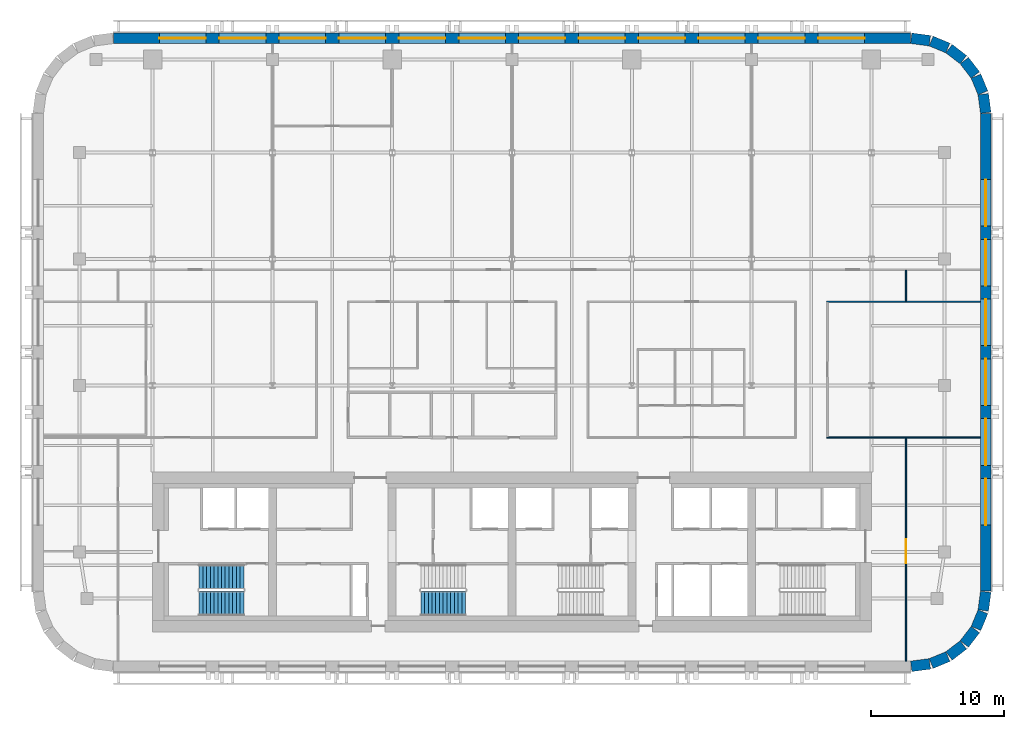
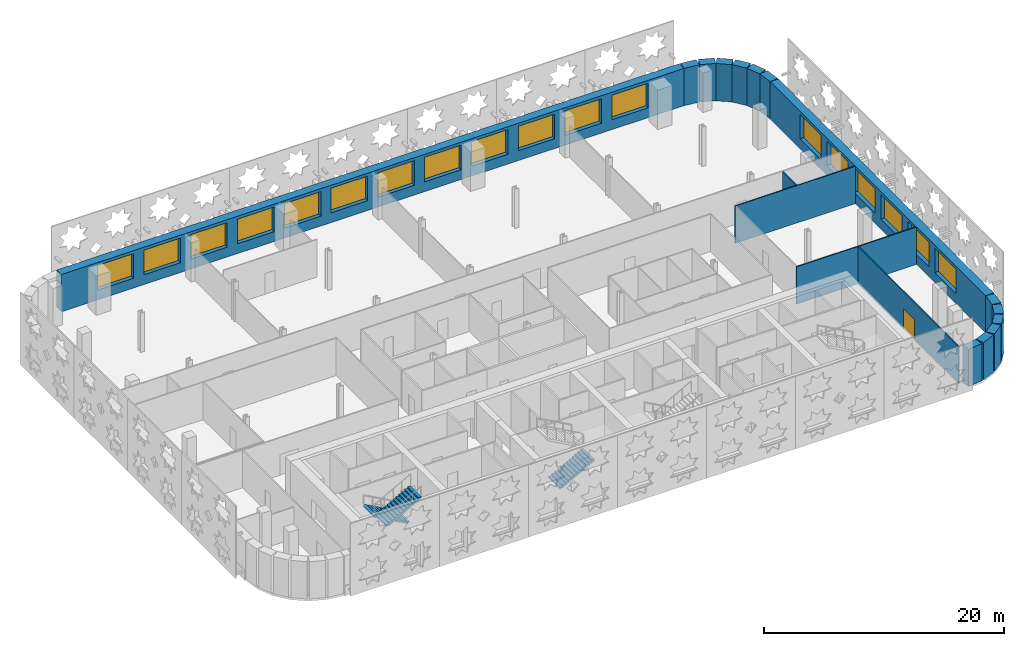
# One storey, part 7 of 12: 18 walls, 18 windows, 3 stair flights, 1 door, 19 openings, 2 elements without a shape of their own.
"""IFC4 building model written with IfcOpenShell, lengths in metres."""

from ifc_helpers import new_model, si_unit, direction, frame, frame_2d, origin, place, context, subcontext, project, spatial, polyline, rectangle, outline, extrude, material, layer, layer_set, type_object, element, fill, aggregate, save


model = new_model("IFC4")

# Units and contexts
model_context = context("Model", 3, precision=1e-05, world=origin(), true_north=direction((0.0, 1.0)))
body_context = subcontext(model_context, "Body", "Model", "MODEL_VIEW")
ifc_project = project(units=[si_unit("LENGTHUNIT", "METRE"), si_unit("AREAUNIT", "SQUARE_METRE"), si_unit("VOLUMEUNIT", "CUBIC_METRE"), si_unit("PLANEANGLEUNIT", "RADIAN"), si_unit("MASSUNIT", "GRAM", prefix="KILO")], contexts=[model_context])

# Site, building, storey
site_placement = place(None, origin())
site = spatial("IfcSite", under=ifc_project, at=site_placement, CompositionType="ELEMENT")
building_placement = place(site_placement, origin())
building = spatial("IfcBuilding", under=site, at=building_placement, Name="Zellij Exchange Tower", CompositionType="ELEMENT")
storey_placement = place(building_placement, frame((0.0, 0.0, 204.5)))
storey = spatial("IfcBuildingStorey", under=building, at=storey_placement, Name="L47", CompositionType="ELEMENT", Elevation=204.5)

# Walls
ifc_material_1 = material(Name="Precast concrete C40/50", Category="concrete")
ifc_layer_1 = layer(ifc_material_1, 0.800048828125)
ifc_layer_set_1 = layer_set([ifc_layer_1], Name="Precast concrete C40/50")
wall_type_1 = type_object("IfcWallType", Name="ENV-EW1 Precast stone-piered wall 800", PredefinedType="SOLIDWALL", material=ifc_layer_set_1)
wall_1_placement = place(storey_placement, frame((29.999755859375, -16.5966796875, 0.0), z_axis=(0.0, 0.0, 1.0), x_axis=(0.99144603414, 0.130517283865, 0.0)))
element("IfcWall", 1, at=wall_1_placement, inside=storey, type_object=wall_type_1, Name="fac.L47.01", PredefinedType="SOLIDWALL", context=body_context, shape_type="SweptSolid", body=[
    extrude(rectangle(XDim=1.408447265625, YDim=0.800048828125, at=frame_2d((0.7041015625, 0.0))), origin(), (0.0, 0.0, 1.0), 3.800048828125),
])
wall_2_placement = place(storey_placement, frame((31.497314453125, -16.3857421875, 0.0), z_axis=(0.0, 0.0, 1.0), x_axis=(0.923847774587, 0.38276009378, 0.0)))
element("IfcWall", 2, at=wall_2_placement, inside=storey, type_object=wall_type_1, Name="fac.L47.02", PredefinedType="SOLIDWALL", context=body_context, shape_type="SweptSolid", body=[
    extrude(rectangle(XDim=1.35546875, YDim=0.800048828125, at=frame_2d((0.677734375, 0.0))), origin(), (0.0, 0.0, 1.0), 3.800048828125),
])
for number, where, z_axis, x_axis, name in (
    (3, (32.840087890625, -15.814697265625, 0.0), (0.0, 0.0, 1.0), (0.793272915452, 0.608866226366, 0.0), "fac.L47.03"),
    (4, (33.9892578125, -14.91552734375, 0.0), (0.0, 0.0, 1.0), (0.608866226366, 0.793272915452, 0.0), "fac.L47.04"),
):
    element("IfcWall", number, at=place(storey_placement, frame(where, z_axis=z_axis, x_axis=x_axis)), inside=storey, type_object=wall_type_1, Name=name, PredefinedType="SOLIDWALL", context=body_context, shape_type="SweptSolid", body=[
        extrude(rectangle(XDim=1.355712890625, YDim=0.800048828125, at=frame_2d((0.677734375, 0.0))), origin(), (0.0, 0.0, 1.0), 3.800048828125),
    ])
wall_3_placement = place(storey_placement, frame((34.866943359375, -13.74951171875, 0.0), z_axis=(0.0, 0.0, 1.0), x_axis=(0.38276009378, 0.923847774587, 0.0)))
element("IfcWall", 5, at=wall_3_placement, inside=storey, type_object=wall_type_1, Name="fac.L47.05", PredefinedType="SOLIDWALL", context=body_context, shape_type="SweptSolid", body=[
    extrude(rectangle(XDim=1.35546875, YDim=0.800048828125, at=frame_2d((0.677734375, 0.0))), origin(), (0.0, 0.0, 1.0), 3.800048828125),
])
wall_4_placement = place(storey_placement, frame((35.412841796875, -12.396240234375, 0.0), z_axis=(0.0, 0.0, 1.0), x_axis=(0.130517283865, 0.99144603414, 0.0)))
element("IfcWall", 6, at=wall_4_placement, inside=storey, type_object=wall_type_1, Name="fac.L47.06", PredefinedType="SOLIDWALL", context=body_context, shape_type="SweptSolid", body=[
    extrude(rectangle(XDim=1.408447265625, YDim=0.800048828125, at=frame_2d((0.7041015625, 0.0))), origin(), (0.0, 0.0, 1.0), 3.800048828125),
])

# Wall, openings, windows
wall_5_placement = place(storey_placement, frame((35.60009765625, -10.947509765625, 0.0), z_axis=(0.0, 0.0, 1.0), x_axis=(0.0, 1.0, 0.0)))
wall_5 = element("IfcWall", 7, at=wall_5_placement, inside=storey, type_object=wall_type_1, Name="fac.L47.07", PredefinedType="SOLIDWALL", context=body_context, shape_type="SweptSolid", body=[
    extrude(rectangle(XDim=35.89501953125, YDim=0.800048828125, at=frame_2d((17.947509765625, 0.0))), origin(), (0.0, 0.0, 1.0), 3.800048828125),
])
opening_1_placement = place(wall_5_placement, frame((4.9638671875, 0.0, 1.0)))
opening_1 = element("IfcOpeningElement", 8, at=opening_1_placement, cuts=wall_5, Name="Opening FZ3.13", PredefinedType="OPENING", context=body_context, shape_type="SweptSolid", body=[
    extrude(rectangle(XDim=3.5, YDim=2.5, at=frame_2d((1.75, 1.25))), frame((0.0, 0.412109375, 0.0), z_axis=(0.0, -1.0, 0.0), x_axis=(1.0, 0.0, 0.0)), (0.0, 0.0, 1.0), 0.823974609375),
])
opening_2_placement = place(wall_5_placement, frame((9.45751953125, 0.0, 1.0)))
opening_2 = element("IfcOpeningElement", 9, at=opening_2_placement, cuts=wall_5, Name="Opening FZ3.14", PredefinedType="OPENING", context=body_context, shape_type="SweptSolid", body=[
    extrude(rectangle(XDim=3.5, YDim=2.5, at=frame_2d((1.75, 1.25))), frame((0.0, 0.412109375, 0.0), z_axis=(0.0, -1.0, 0.0), x_axis=(1.0, 0.0, 0.0)), (0.0, 0.0, 1.0), 0.823974609375),
])
opening_3_placement = place(wall_5_placement, frame((13.950927734375, 0.0, 1.0)))
opening_3 = element("IfcOpeningElement", 10, at=opening_3_placement, cuts=wall_5, Name="Opening FZ3.15", PredefinedType="OPENING", context=body_context, shape_type="SweptSolid", body=[
    extrude(rectangle(XDim=3.5, YDim=2.5, at=frame_2d((1.75, 1.25))), frame((0.0, 0.412109375, 0.0), z_axis=(0.0, -1.0, 0.0), x_axis=(1.0, 0.0, 0.0)), (0.0, 0.0, 1.0), 0.823974609375),
])
opening_4_placement = place(wall_5_placement, frame((18.4443359375, 0.0, 1.0)))
opening_4 = element("IfcOpeningElement", 11, at=opening_4_placement, cuts=wall_5, Name="Opening FZ3.16", PredefinedType="OPENING", context=body_context, shape_type="SweptSolid", body=[
    extrude(rectangle(XDim=3.5, YDim=2.5, at=frame_2d((1.75, 1.25))), frame((0.0, 0.412109375, 0.0), z_axis=(0.0, -1.0, 0.0), x_axis=(1.0, 0.0, 0.0)), (0.0, 0.0, 1.0), 0.823974609375),
])
opening_5_placement = place(wall_5_placement, frame((22.937744140625, 0.0, 1.0)))
opening_5 = element("IfcOpeningElement", 12, at=opening_5_placement, cuts=wall_5, Name="Opening FZ3.17", PredefinedType="OPENING", context=body_context, shape_type="SweptSolid", body=[
    extrude(rectangle(XDim=3.5, YDim=2.5, at=frame_2d((1.75, 1.25))), frame((0.0, 0.412109375, 0.0), z_axis=(0.0, -1.0, 0.0), x_axis=(1.0, 0.0, 0.0)), (0.0, 0.0, 1.0), 0.823974609375),
])
opening_6_placement = place(wall_5_placement, frame((27.43115234375, 0.0, 1.0)))
opening_6 = element("IfcOpeningElement", 13, at=opening_6_placement, cuts=wall_5, Name="Opening FZ3.18", PredefinedType="OPENING", context=body_context, shape_type="SweptSolid", body=[
    extrude(rectangle(XDim=3.5, YDim=2.5, at=frame_2d((1.75, 1.25))), frame((0.0, 0.412109375, 0.0), z_axis=(0.0, -1.0, 0.0), x_axis=(1.0, 0.0, 0.0)), (0.0, 0.0, 1.0), 0.823974609375),
])
ifc_material_2 = material(Name="Aluminium frame with insulating glass", Category="aluminium")
window_type = type_object("IfcWindowType", Name="ENV-W1 Window 3500x2500", PartitioningType="SINGLE_PANEL", PredefinedType="WINDOW", material=ifc_material_2)
window_1_placement = place(opening_1_placement, origin())
window_1 = element("IfcWindow", 14, at=window_1_placement, inside=storey, type_object=window_type, Name="Window FZ3.13", OverallHeight=2.5, OverallWidth=3.5, PartitioningType="SINGLE_PANEL", PredefinedType="WINDOW", context=body_context, shape_type="SweptSolid", body=[
    extrude(rectangle(XDim=3.5, YDim=2.5, at=frame_2d((1.75, 1.25))), frame((0.0, 0.030029296875, 0.0), z_axis=(0.0, -1.0, 0.0), x_axis=(1.0, 0.0, 0.0)), (0.0, 0.0, 1.0), 0.06005859375),
])
fill(opening_1, window_1)
window_2_placement = place(opening_2_placement, origin())
window_2 = element("IfcWindow", 15, at=window_2_placement, inside=storey, type_object=window_type, Name="Window FZ3.14", OverallHeight=2.5, OverallWidth=3.5, PartitioningType="SINGLE_PANEL", PredefinedType="WINDOW", context=body_context, shape_type="SweptSolid", body=[
    extrude(rectangle(XDim=3.5, YDim=2.5, at=frame_2d((1.75, 1.25))), frame((0.0, 0.030029296875, 0.0), z_axis=(0.0, -1.0, 0.0), x_axis=(1.0, 0.0, 0.0)), (0.0, 0.0, 1.0), 0.06005859375),
])
fill(opening_2, window_2)
window_3_placement = place(opening_3_placement, origin())
window_3 = element("IfcWindow", 16, at=window_3_placement, inside=storey, type_object=window_type, Name="Window FZ3.15", OverallHeight=2.5, OverallWidth=3.5, PartitioningType="SINGLE_PANEL", PredefinedType="WINDOW", context=body_context, shape_type="SweptSolid", body=[
    extrude(rectangle(XDim=3.5, YDim=2.5, at=frame_2d((1.75, 1.25))), frame((0.0, 0.030029296875, 0.0), z_axis=(0.0, -1.0, 0.0), x_axis=(1.0, 0.0, 0.0)), (0.0, 0.0, 1.0), 0.06005859375),
])
fill(opening_3, window_3)
window_4_placement = place(opening_4_placement, origin())
window_4 = element("IfcWindow", 17, at=window_4_placement, inside=storey, type_object=window_type, Name="Window FZ3.16", OverallHeight=2.5, OverallWidth=3.5, PartitioningType="SINGLE_PANEL", PredefinedType="WINDOW", context=body_context, shape_type="SweptSolid", body=[
    extrude(rectangle(XDim=3.5, YDim=2.5, at=frame_2d((1.75, 1.25))), frame((0.0, 0.030029296875, 0.0), z_axis=(0.0, -1.0, 0.0), x_axis=(1.0, 0.0, 0.0)), (0.0, 0.0, 1.0), 0.06005859375),
])
fill(opening_4, window_4)
window_5_placement = place(opening_5_placement, origin())
window_5 = element("IfcWindow", 18, at=window_5_placement, inside=storey, type_object=window_type, Name="Window FZ3.17", OverallHeight=2.5, OverallWidth=3.5, PartitioningType="SINGLE_PANEL", PredefinedType="WINDOW", context=body_context, shape_type="SweptSolid", body=[
    extrude(rectangle(XDim=3.5, YDim=2.5, at=frame_2d((1.75, 1.25))), frame((0.0, 0.030029296875, 0.0), z_axis=(0.0, -1.0, 0.0), x_axis=(1.0, 0.0, 0.0)), (0.0, 0.0, 1.0), 0.06005859375),
])
fill(opening_5, window_5)
window_6_placement = place(opening_6_placement, origin())
window_6 = element("IfcWindow", 19, at=window_6_placement, inside=storey, type_object=window_type, Name="Window FZ3.18", OverallHeight=2.5, OverallWidth=3.5, PartitioningType="SINGLE_PANEL", PredefinedType="WINDOW", context=body_context, shape_type="SweptSolid", body=[
    extrude(rectangle(XDim=3.5, YDim=2.5, at=frame_2d((1.75, 1.25))), frame((0.0, 0.030029296875, 0.0), z_axis=(0.0, -1.0, 0.0), x_axis=(1.0, 0.0, 0.0)), (0.0, 0.0, 1.0), 0.06005859375),
])
fill(opening_6, window_6)

# Walls
wall_6_placement = place(storey_placement, frame((35.5966796875, 24.999755859375, 0.0), z_axis=(0.0, 0.0, 1.0), x_axis=(-0.130517283865, 0.99144603414, 0.0)))
element("IfcWall", 20, at=wall_6_placement, inside=storey, type_object=wall_type_1, Name="fac.L47.08", PredefinedType="SOLIDWALL", context=body_context, shape_type="SweptSolid", body=[
    extrude(rectangle(XDim=1.408447265625, YDim=0.800048828125, at=frame_2d((0.7041015625, 0.0))), origin(), (0.0, 0.0, 1.0), 3.800048828125),
])
wall_7_placement = place(storey_placement, frame((35.3857421875, 26.497314453125, 0.0), z_axis=(0.0, 0.0, 1.0), x_axis=(-0.38276009378, 0.923847774587, 0.0)))
element("IfcWall", 21, at=wall_7_placement, inside=storey, type_object=wall_type_1, Name="fac.L47.09", PredefinedType="SOLIDWALL", context=body_context, shape_type="SweptSolid", body=[
    extrude(rectangle(XDim=1.35546875, YDim=0.800048828125, at=frame_2d((0.677734375, 0.0))), origin(), (0.0, 0.0, 1.0), 3.800048828125),
])
for number, where, z_axis, x_axis, name in (
    (22, (34.814697265625, 27.840087890625, 0.0), (0.0, 0.0, 1.0), (-0.608866226366, 0.793272915452, 0.0), "fac.L47.10"),
    (23, (33.91552734375, 28.9892578125, 0.0), (0.0, 0.0, 1.0), (-0.793272915452, 0.608866226366, 0.0), "fac.L47.11"),
):
    element("IfcWall", number, at=place(storey_placement, frame(where, z_axis=z_axis, x_axis=x_axis)), inside=storey, type_object=wall_type_1, Name=name, PredefinedType="SOLIDWALL", context=body_context, shape_type="SweptSolid", body=[
        extrude(rectangle(XDim=1.355712890625, YDim=0.800048828125, at=frame_2d((0.677734375, 0.0))), origin(), (0.0, 0.0, 1.0), 3.800048828125),
    ])
wall_8_placement = place(storey_placement, frame((32.74951171875, 29.866943359375, 0.0), z_axis=(0.0, 0.0, 1.0), x_axis=(-0.923847774587, 0.38276009378, 0.0)))
element("IfcWall", 24, at=wall_8_placement, inside=storey, type_object=wall_type_1, Name="fac.L47.12", PredefinedType="SOLIDWALL", context=body_context, shape_type="SweptSolid", body=[
    extrude(rectangle(XDim=1.35546875, YDim=0.800048828125, at=frame_2d((0.677734375, 0.0))), origin(), (0.0, 0.0, 1.0), 3.800048828125),
])
wall_9_placement = place(storey_placement, frame((31.396240234375, 30.412841796875, 0.0), z_axis=(0.0, 0.0, 1.0), x_axis=(-0.99144603414, 0.130517283865, 0.0)))
element("IfcWall", 25, at=wall_9_placement, inside=storey, type_object=wall_type_1, Name="fac.L47.13", PredefinedType="SOLIDWALL", context=body_context, shape_type="SweptSolid", body=[
    extrude(rectangle(XDim=1.408447265625, YDim=0.800048828125, at=frame_2d((0.7041015625, 0.0))), origin(), (0.0, 0.0, 1.0), 3.800048828125),
])

# Wall, openings, windows
wall_10_placement = place(storey_placement, frame((29.947509765625, 30.60009765625, 0.0), z_axis=(0.0, 0.0, 1.0), x_axis=(-1.0, 0.0, 0.0)))
wall_10 = element("IfcWall", 26, at=wall_10_placement, inside=storey, type_object=wall_type_1, Name="fac.L47.14", PredefinedType="SOLIDWALL", context=body_context, shape_type="SweptSolid", body=[
    extrude(rectangle(XDim=59.89501953125, YDim=0.800048828125, at=frame_2d((29.947509765625, 0.0))), origin(), (0.0, 0.0, 1.0), 3.800048828125),
])
opening_7_placement = place(wall_10_placement, frame((3.447509765625, 0.0, 1.0)))
opening_7 = element("IfcOpeningElement", 27, at=opening_7_placement, cuts=wall_10, Name="Opening FZ3.19", PredefinedType="OPENING", context=body_context, shape_type="SweptSolid", body=[
    extrude(rectangle(XDim=3.5, YDim=2.5, at=frame_2d((1.75, 1.25))), frame((0.0, 0.412109375, 0.0), z_axis=(0.0, -1.0, 0.0), x_axis=(1.0, 0.0, 0.0)), (0.0, 0.0, 1.0), 0.823974609375),
])
opening_8_placement = place(wall_10_placement, frame((7.947509765625, 0.0, 1.0)))
opening_8 = element("IfcOpeningElement", 28, at=opening_8_placement, cuts=wall_10, Name="Opening FZ3.20", PredefinedType="OPENING", context=body_context, shape_type="SweptSolid", body=[
    extrude(rectangle(XDim=3.5, YDim=2.5, at=frame_2d((1.75, 1.25))), frame((0.0, 0.412109375, 0.0), z_axis=(0.0, -1.0, 0.0), x_axis=(1.0, 0.0, 0.0)), (0.0, 0.0, 1.0), 0.823974609375),
])
opening_9_placement = place(wall_10_placement, frame((12.447509765625, 0.0, 1.0)))
opening_9 = element("IfcOpeningElement", 29, at=opening_9_placement, cuts=wall_10, Name="Opening FZ3.21", PredefinedType="OPENING", context=body_context, shape_type="SweptSolid", body=[
    extrude(rectangle(XDim=3.5, YDim=2.5, at=frame_2d((1.75, 1.25))), frame((0.0, 0.412109375, 0.0), z_axis=(0.0, -1.0, 0.0), x_axis=(1.0, 0.0, 0.0)), (0.0, 0.0, 1.0), 0.823974609375),
])
opening_10_placement = place(wall_10_placement, frame((16.947509765625, 0.0, 1.0)))
opening_10 = element("IfcOpeningElement", 30, at=opening_10_placement, cuts=wall_10, Name="Opening FZ3.22", PredefinedType="OPENING", context=body_context, shape_type="SweptSolid", body=[
    extrude(rectangle(XDim=3.5, YDim=2.5, at=frame_2d((1.75, 1.25))), frame((0.0, 0.412109375, 0.0), z_axis=(0.0, -1.0, 0.0), x_axis=(1.0, 0.0, 0.0)), (0.0, 0.0, 1.0), 0.823974609375),
])
opening_11_placement = place(wall_10_placement, frame((21.447509765625, 0.0, 1.0)))
opening_11 = element("IfcOpeningElement", 31, at=opening_11_placement, cuts=wall_10, Name="Opening FZ3.23", PredefinedType="OPENING", context=body_context, shape_type="SweptSolid", body=[
    extrude(rectangle(XDim=3.5, YDim=2.5, at=frame_2d((1.75, 1.25))), frame((0.0, 0.412109375, 0.0), z_axis=(0.0, -1.0, 0.0), x_axis=(1.0, 0.0, 0.0)), (0.0, 0.0, 1.0), 0.823974609375),
])
opening_12_placement = place(wall_10_placement, frame((25.947509765625, 0.0, 1.0)))
opening_12 = element("IfcOpeningElement", 32, at=opening_12_placement, cuts=wall_10, Name="Opening FZ3.24", PredefinedType="OPENING", context=body_context, shape_type="SweptSolid", body=[
    extrude(rectangle(XDim=3.5, YDim=2.5, at=frame_2d((1.75, 1.25))), frame((0.0, 0.412109375, 0.0), z_axis=(0.0, -1.0, 0.0), x_axis=(1.0, 0.0, 0.0)), (0.0, 0.0, 1.0), 0.823974609375),
])
opening_13_placement = place(wall_10_placement, frame((30.447509765625, 0.0, 1.0)))
opening_13 = element("IfcOpeningElement", 33, at=opening_13_placement, cuts=wall_10, Name="Opening FZ3.25", PredefinedType="OPENING", context=body_context, shape_type="SweptSolid", body=[
    extrude(rectangle(XDim=3.5, YDim=2.5, at=frame_2d((1.75, 1.25))), frame((0.0, 0.412109375, 0.0), z_axis=(0.0, -1.0, 0.0), x_axis=(1.0, 0.0, 0.0)), (0.0, 0.0, 1.0), 0.823974609375),
])
opening_14_placement = place(wall_10_placement, frame((34.947509765625, 0.0, 1.0)))
opening_14 = element("IfcOpeningElement", 34, at=opening_14_placement, cuts=wall_10, Name="Opening FZ3.26", PredefinedType="OPENING", context=body_context, shape_type="SweptSolid", body=[
    extrude(rectangle(XDim=3.5, YDim=2.5, at=frame_2d((1.75, 1.25))), frame((0.0, 0.412109375, 0.0), z_axis=(0.0, -1.0, 0.0), x_axis=(1.0, 0.0, 0.0)), (0.0, 0.0, 1.0), 0.823974609375),
])
opening_15_placement = place(wall_10_placement, frame((39.447509765625, 0.0, 1.0)))
opening_15 = element("IfcOpeningElement", 35, at=opening_15_placement, cuts=wall_10, Name="Opening FZ3.27", PredefinedType="OPENING", context=body_context, shape_type="SweptSolid", body=[
    extrude(rectangle(XDim=3.5, YDim=2.5, at=frame_2d((1.75, 1.25))), frame((0.0, 0.412109375, 0.0), z_axis=(0.0, -1.0, 0.0), x_axis=(1.0, 0.0, 0.0)), (0.0, 0.0, 1.0), 0.823974609375),
])
opening_16_placement = place(wall_10_placement, frame((43.947509765625, 0.0, 1.0)))
opening_16 = element("IfcOpeningElement", 36, at=opening_16_placement, cuts=wall_10, Name="Opening FZ3.28", PredefinedType="OPENING", context=body_context, shape_type="SweptSolid", body=[
    extrude(rectangle(XDim=3.5, YDim=2.5, at=frame_2d((1.75, 1.25))), frame((0.0, 0.412109375, 0.0), z_axis=(0.0, -1.0, 0.0), x_axis=(1.0, 0.0, 0.0)), (0.0, 0.0, 1.0), 0.823974609375),
])
opening_17_placement = place(wall_10_placement, frame((48.447509765625, 0.0, 1.0)))
opening_17 = element("IfcOpeningElement", 37, at=opening_17_placement, cuts=wall_10, Name="Opening FZ3.29", PredefinedType="OPENING", context=body_context, shape_type="SweptSolid", body=[
    extrude(rectangle(XDim=3.5, YDim=2.5, at=frame_2d((1.75, 1.25))), frame((0.0, 0.412109375, 0.0), z_axis=(0.0, -1.0, 0.0), x_axis=(1.0, 0.0, 0.0)), (0.0, 0.0, 1.0), 0.823974609375),
])
opening_18_placement = place(wall_10_placement, frame((52.947509765625, 0.0, 1.0)))
opening_18 = element("IfcOpeningElement", 38, at=opening_18_placement, cuts=wall_10, Name="Opening FZ3.30", PredefinedType="OPENING", context=body_context, shape_type="SweptSolid", body=[
    extrude(rectangle(XDim=3.5, YDim=2.5, at=frame_2d((1.75, 1.25))), frame((0.0, 0.412109375, 0.0), z_axis=(0.0, -1.0, 0.0), x_axis=(1.0, 0.0, 0.0)), (0.0, 0.0, 1.0), 0.823974609375),
])
window_7_placement = place(opening_7_placement, origin())
window_7 = element("IfcWindow", 39, at=window_7_placement, inside=storey, type_object=window_type, Name="Window FZ3.19", OverallHeight=2.5, OverallWidth=3.5, PartitioningType="SINGLE_PANEL", PredefinedType="WINDOW", context=body_context, shape_type="SweptSolid", body=[
    extrude(rectangle(XDim=3.5, YDim=2.5, at=frame_2d((1.75, 1.25))), frame((0.0, 0.030029296875, 0.0), z_axis=(0.0, -1.0, 0.0), x_axis=(1.0, 0.0, 0.0)), (0.0, 0.0, 1.0), 0.06005859375),
])
fill(opening_7, window_7)
window_8_placement = place(opening_8_placement, origin())
window_8 = element("IfcWindow", 40, at=window_8_placement, inside=storey, type_object=window_type, Name="Window FZ3.20", OverallHeight=2.5, OverallWidth=3.5, PartitioningType="SINGLE_PANEL", PredefinedType="WINDOW", context=body_context, shape_type="SweptSolid", body=[
    extrude(rectangle(XDim=3.5, YDim=2.5, at=frame_2d((1.75, 1.25))), frame((0.0, 0.030029296875, 0.0), z_axis=(0.0, -1.0, 0.0), x_axis=(1.0, 0.0, 0.0)), (0.0, 0.0, 1.0), 0.06005859375),
])
fill(opening_8, window_8)
window_9_placement = place(opening_9_placement, origin())
window_9 = element("IfcWindow", 41, at=window_9_placement, inside=storey, type_object=window_type, Name="Window FZ3.21", OverallHeight=2.5, OverallWidth=3.5, PartitioningType="SINGLE_PANEL", PredefinedType="WINDOW", context=body_context, shape_type="SweptSolid", body=[
    extrude(rectangle(XDim=3.5, YDim=2.5, at=frame_2d((1.75, 1.25))), frame((0.0, 0.030029296875, 0.0), z_axis=(0.0, -1.0, 0.0), x_axis=(1.0, 0.0, 0.0)), (0.0, 0.0, 1.0), 0.06005859375),
])
fill(opening_9, window_9)
window_10_placement = place(opening_10_placement, origin())
window_10 = element("IfcWindow", 42, at=window_10_placement, inside=storey, type_object=window_type, Name="Window FZ3.22", OverallHeight=2.5, OverallWidth=3.5, PartitioningType="SINGLE_PANEL", PredefinedType="WINDOW", context=body_context, shape_type="SweptSolid", body=[
    extrude(rectangle(XDim=3.5, YDim=2.5, at=frame_2d((1.75, 1.25))), frame((0.0, 0.030029296875, 0.0), z_axis=(0.0, -1.0, 0.0), x_axis=(1.0, 0.0, 0.0)), (0.0, 0.0, 1.0), 0.06005859375),
])
fill(opening_10, window_10)
window_11_placement = place(opening_11_placement, origin())
window_11 = element("IfcWindow", 43, at=window_11_placement, inside=storey, type_object=window_type, Name="Window FZ3.23", OverallHeight=2.5, OverallWidth=3.5, PartitioningType="SINGLE_PANEL", PredefinedType="WINDOW", context=body_context, shape_type="SweptSolid", body=[
    extrude(rectangle(XDim=3.5, YDim=2.5, at=frame_2d((1.75, 1.25))), frame((0.0, 0.030029296875, 0.0), z_axis=(0.0, -1.0, 0.0), x_axis=(1.0, 0.0, 0.0)), (0.0, 0.0, 1.0), 0.06005859375),
])
fill(opening_11, window_11)
window_12_placement = place(opening_12_placement, origin())
window_12 = element("IfcWindow", 44, at=window_12_placement, inside=storey, type_object=window_type, Name="Window FZ3.24", OverallHeight=2.5, OverallWidth=3.5, PartitioningType="SINGLE_PANEL", PredefinedType="WINDOW", context=body_context, shape_type="SweptSolid", body=[
    extrude(rectangle(XDim=3.5, YDim=2.5, at=frame_2d((1.75, 1.25))), frame((0.0, 0.030029296875, 0.0), z_axis=(0.0, -1.0, 0.0), x_axis=(1.0, 0.0, 0.0)), (0.0, 0.0, 1.0), 0.06005859375),
])
fill(opening_12, window_12)
window_13_placement = place(opening_13_placement, origin())
window_13 = element("IfcWindow", 45, at=window_13_placement, inside=storey, type_object=window_type, Name="Window FZ3.25", OverallHeight=2.5, OverallWidth=3.5, PartitioningType="SINGLE_PANEL", PredefinedType="WINDOW", context=body_context, shape_type="SweptSolid", body=[
    extrude(rectangle(XDim=3.5, YDim=2.5, at=frame_2d((1.75, 1.25))), frame((0.0, 0.030029296875, 0.0), z_axis=(0.0, -1.0, 0.0), x_axis=(1.0, 0.0, 0.0)), (0.0, 0.0, 1.0), 0.06005859375),
])
fill(opening_13, window_13)
window_14_placement = place(opening_14_placement, origin())
window_14 = element("IfcWindow", 46, at=window_14_placement, inside=storey, type_object=window_type, Name="Window FZ3.26", OverallHeight=2.5, OverallWidth=3.5, PartitioningType="SINGLE_PANEL", PredefinedType="WINDOW", context=body_context, shape_type="SweptSolid", body=[
    extrude(rectangle(XDim=3.5, YDim=2.5, at=frame_2d((1.75, 1.25))), frame((0.0, 0.030029296875, 0.0), z_axis=(0.0, -1.0, 0.0), x_axis=(1.0, 0.0, 0.0)), (0.0, 0.0, 1.0), 0.06005859375),
])
fill(opening_14, window_14)
window_15_placement = place(opening_15_placement, origin())
window_15 = element("IfcWindow", 47, at=window_15_placement, inside=storey, type_object=window_type, Name="Window FZ3.27", OverallHeight=2.5, OverallWidth=3.5, PartitioningType="SINGLE_PANEL", PredefinedType="WINDOW", context=body_context, shape_type="SweptSolid", body=[
    extrude(rectangle(XDim=3.5, YDim=2.5, at=frame_2d((1.75, 1.25))), frame((0.0, 0.030029296875, 0.0), z_axis=(0.0, -1.0, 0.0), x_axis=(1.0, 0.0, 0.0)), (0.0, 0.0, 1.0), 0.06005859375),
])
fill(opening_15, window_15)
window_16_placement = place(opening_16_placement, origin())
window_16 = element("IfcWindow", 48, at=window_16_placement, inside=storey, type_object=window_type, Name="Window FZ3.28", OverallHeight=2.5, OverallWidth=3.5, PartitioningType="SINGLE_PANEL", PredefinedType="WINDOW", context=body_context, shape_type="SweptSolid", body=[
    extrude(rectangle(XDim=3.5, YDim=2.5, at=frame_2d((1.75, 1.25))), frame((0.0, 0.030029296875, 0.0), z_axis=(0.0, -1.0, 0.0), x_axis=(1.0, 0.0, 0.0)), (0.0, 0.0, 1.0), 0.06005859375),
])
fill(opening_16, window_16)
window_17_placement = place(opening_17_placement, origin())
window_17 = element("IfcWindow", 49, at=window_17_placement, inside=storey, type_object=window_type, Name="Window FZ3.29", OverallHeight=2.5, OverallWidth=3.5, PartitioningType="SINGLE_PANEL", PredefinedType="WINDOW", context=body_context, shape_type="SweptSolid", body=[
    extrude(rectangle(XDim=3.5, YDim=2.5, at=frame_2d((1.75, 1.25))), frame((0.0, 0.030029296875, 0.0), z_axis=(0.0, -1.0, 0.0), x_axis=(1.0, 0.0, 0.0)), (0.0, 0.0, 1.0), 0.06005859375),
])
fill(opening_17, window_17)
window_18_placement = place(opening_18_placement, origin())
window_18 = element("IfcWindow", 50, at=window_18_placement, inside=storey, type_object=window_type, Name="Window FZ3.30", OverallHeight=2.5, OverallWidth=3.5, PartitioningType="SINGLE_PANEL", PredefinedType="WINDOW", context=body_context, shape_type="SweptSolid", body=[
    extrude(rectangle(XDim=3.5, YDim=2.5, at=frame_2d((1.75, 1.25))), frame((0.0, 0.030029296875, 0.0), z_axis=(0.0, -1.0, 0.0), x_axis=(1.0, 0.0, 0.0)), (0.0, 0.0, 1.0), 0.06005859375),
])
fill(opening_18, window_18)

# Wall, opening, door
ifc_material_3 = material(Name="Gypsum board partition on steel studs", Category="steel")
ifc_layer_2 = layer(ifc_material_3, 0.10009765625)
ifc_layer_set_2 = layer_set([ifc_layer_2], Name="Gypsum board partition on steel studs")
wall_type_2 = type_object("IfcWallType", Name="FIT-PARTITION-100", PredefinedType="PARTITIONING", material=ifc_layer_set_2)
wall_11_placement = place(storey_placement, frame((29.60009765625, -16.199951171875, 0.0), z_axis=(0.0, 0.0, 1.0), x_axis=(0.0, 1.0, 0.0)))
wall_11 = element("IfcWall", 51, at=wall_11_placement, inside=storey, type_object=wall_type_2, Name="FIT-PARTITION-100 002", PredefinedType="PARTITIONING", context=body_context, shape_type="SweptSolid", body=[
    extrude(rectangle(XDim=16.75, YDim=0.10009765625, at=frame_2d((8.375, 0.0))), origin(), (0.0, 0.0, 1.0), 3.800048828125),
])
opening_19_placement = place(wall_11_placement, frame((7.35009765625, 0.0, 0.0)))
opening_19 = element("IfcOpeningElement", 52, at=opening_19_placement, cuts=wall_11, Name="Opening O3E.02", PredefinedType="OPENING", context=body_context, shape_type="SweptSolid", body=[
    extrude(rectangle(XDim=1.800048828125, YDim=2.10009765625, at=frame_2d((0.89990234375, 1.050048828125))), frame((0.0, 0.06201171875, 0.0), z_axis=(0.0, -1.0, 0.0), x_axis=(1.0, 0.0, 0.0)), (0.0, 0.0, 1.0), 0.1240234375),
])
ifc_material_4 = material(Name="Timber door set", Category="wood")
door_type = type_object("IfcDoorType", Name="FIT-D3-DOUBLE-1800X2100", OperationType="DOUBLE_DOOR_SINGLE_SWING", PredefinedType="DOOR", material=ifc_material_4)
door_placement = place(opening_19_placement, origin())
door = element("IfcDoor", 53, at=door_placement, inside=storey, type_object=door_type, Name="Door O3E.02", OperationType="DOUBLE_DOOR_SINGLE_SWING", OverallHeight=2.10009765625, OverallWidth=1.800048828125, PredefinedType="DOOR", context=body_context, shape_type="SweptSolid", body=[
    extrude(rectangle(XDim=1.800048828125, YDim=2.10009765625, at=frame_2d((0.89990234375, 1.050048828125))), frame((0.0, 0.02490234375, 0.0), z_axis=(0.0, -1.0, 0.0), x_axis=(1.0, 0.0, 0.0)), (0.0, 0.0, 1.0), 0.050048828125),
])
fill(opening_19, door)

# Walls
for number, where, z_axis, x_axis, name in (
    (54, (23.64990234375, 0.60009765625, 0.0), (0.0, 0.0, 1.0), (1.0, 0.0, 0.0), "FIT-PARTITION-100 019"),
    (55, (23.64990234375, 10.800048828125, 0.0), (0.0, 0.0, 1.0), (1.0, 0.0, 0.0), "FIT-PARTITION-100 039"),
):
    element("IfcWall", number, at=place(storey_placement, frame(where, z_axis=z_axis, x_axis=x_axis)), inside=storey, type_object=wall_type_2, Name=name, PredefinedType="PARTITIONING", context=body_context, shape_type="SweptSolid", body=[
        extrude(rectangle(XDim=11.550048828125, YDim=0.10009765625, at=frame_2d((5.77490234375, 0.0))), origin(), (0.0, 0.0, 1.0), 3.800048828125),
    ])
wall_12_placement = place(storey_placement, frame((29.60009765625, 10.85009765625, 0.0), z_axis=(0.0, 0.0, 1.0), x_axis=(0.0, 1.0, 0.0)))
element("IfcWall", 56, at=wall_12_placement, inside=storey, type_object=wall_type_2, Name="FIT-PARTITION-100 040", PredefinedType="PARTITIONING", context=body_context, shape_type="SweptSolid", body=[
    extrude(rectangle(XDim=2.2998046875, YDim=0.10009765625, at=frame_2d((1.14990234375, 0.0))), origin(), (0.0, 0.0, 1.0), 3.800048828125),
])

# Stair, stair flights
ifc_material_5 = material(Name="Concrete C40/50", Category="concrete")
stair_type = type_object("IfcStairType", Name="CORE-ST exit stair 1850 wide", PredefinedType="HALF_TURN_STAIR", material=ifc_material_5)
stair_1_placement = place(storey_placement, origin())
stair_1 = element("IfcStair", 57, at=stair_1_placement, inside=storey, type_object=stair_type, Name="L47 exit stair ST1", PredefinedType="HALF_TURN_STAIR")
stair_flight_type = type_object("IfcStairFlightType", Name="CORE-SF flight 1850 riser 153.8 going 280", PredefinedType="STRAIGHT", material=ifc_material_5)
stair_flight_1_placement = place(storey_placement, frame((-20.14990234375, -9.875, 0.0), z_axis=(0.0, 0.0, 1.0), x_axis=(-1.0, 0.0, 0.0)))
stair_flight_1 = element("IfcStairFlight", 58, at=stair_flight_1_placement, type_object=stair_flight_type, Name="ST1 flight 1", NumberOfRisers=13, NumberOfTreads=12, PredefinedType="STRAIGHT", RiserHeight=0.153846154, TreadLength=0.28, context=body_context, shape_type="SweptSolid", body=[
    extrude(outline(polyline([(0.0, 0.0), (0.0, 0.15380859375), (0.280029296875, 0.15380859375), (0.280029296875, 0.3076171875), (0.56005859375, 0.3076171875), (0.56005859375, 0.46142578125), (0.840087890625, 0.46142578125), (0.840087890625, 0.615478515625), (1.1201171875, 0.615478515625), (1.1201171875, 0.769287109375), (1.39990234375, 0.769287109375), (1.39990234375, 0.923095703125), (1.679931640625, 0.923095703125), (1.679931640625, 1.076904296875), (1.9599609375, 1.076904296875), (1.9599609375, 1.230712890625), (2.239990234375, 1.230712890625), (2.239990234375, 1.384521484375), (2.52001953125, 1.384521484375), (2.52001953125, 1.53857421875), (2.800048828125, 1.53857421875), (2.800048828125, 1.6923828125), (3.080078125, 1.6923828125), (3.080078125, 1.84619140625), (3.360107421875, 1.84619140625), (3.360107421875, 2.0), (3.360107421875, 1.675048828125), (0.311279296875, 0.0), (0.0, 0.0)])), frame((0.0, 0.925048828125, 0.0), z_axis=(0.0, -1.0, 0.0), x_axis=(1.0, 0.0, 0.0)), (0.0, 0.0, 1.0), 1.85009765625),
])
stair_flight_2_placement = place(storey_placement, frame((-23.510009765625, -11.875, 2.0), z_axis=(0.0, 0.0, 1.0), x_axis=(1.0, 0.0, 0.0)))
stair_flight_2 = element("IfcStairFlight", 59, at=stair_flight_2_placement, type_object=stair_flight_type, Name="ST1 flight 2", NumberOfRisers=13, NumberOfTreads=12, PredefinedType="STRAIGHT", RiserHeight=0.153846154, TreadLength=0.28, context=body_context, shape_type="SweptSolid", body=[
    extrude(outline(polyline([(0.0, 0.0), (0.0, 0.15380859375), (0.280029296875, 0.15380859375), (0.280029296875, 0.3076171875), (0.56005859375, 0.3076171875), (0.56005859375, 0.46142578125), (0.840087890625, 0.46142578125), (0.840087890625, 0.615478515625), (1.1201171875, 0.615478515625), (1.1201171875, 0.769287109375), (1.39990234375, 0.769287109375), (1.39990234375, 0.923095703125), (1.679931640625, 0.923095703125), (1.679931640625, 1.076904296875), (1.9599609375, 1.076904296875), (1.9599609375, 1.230712890625), (2.239990234375, 1.230712890625), (2.239990234375, 1.384521484375), (2.52001953125, 1.384521484375), (2.52001953125, 1.53857421875), (2.800048828125, 1.53857421875), (2.800048828125, 1.6923828125), (3.080078125, 1.6923828125), (3.080078125, 1.84619140625), (3.360107421875, 1.84619140625), (3.360107421875, 2.0), (3.360107421875, 1.675048828125), (0.311279296875, 0.0), (0.0, 0.0)])), frame((0.0, 0.925048828125, 0.0), z_axis=(0.0, -1.0, 0.0), x_axis=(1.0, 0.0, 0.0)), (0.0, 0.0, 1.0), 1.85009765625),
])
aggregate(stair_1, [stair_flight_1, stair_flight_2])

# Stair, stair flight
stair_2_placement = place(storey_placement, origin())
stair_2 = element("IfcStair", 60, at=stair_2_placement, inside=storey, type_object=stair_type, Name="L47 exit stair ST2", PredefinedType="HALF_TURN_STAIR")
stair_flight_3_placement = place(storey_placement, frame((-6.85009765625, -11.875, 0.0), z_axis=(0.0, 0.0, 1.0), x_axis=(1.0, 0.0, 0.0)))
stair_flight_3 = element("IfcStairFlight", 61, at=stair_flight_3_placement, type_object=stair_flight_type, Name="ST2 flight 1", NumberOfRisers=13, NumberOfTreads=12, PredefinedType="STRAIGHT", RiserHeight=0.153846154, TreadLength=0.28, context=body_context, shape_type="SweptSolid", body=[
    extrude(outline(polyline([(0.0, 0.0), (0.0, 0.15380859375), (0.280029296875, 0.15380859375), (0.280029296875, 0.3076171875), (0.56005859375, 0.3076171875), (0.56005859375, 0.46142578125), (0.840087890625, 0.46142578125), (0.840087890625, 0.615478515625), (1.1201171875, 0.615478515625), (1.1201171875, 0.769287109375), (1.39990234375, 0.769287109375), (1.39990234375, 0.923095703125), (1.679931640625, 0.923095703125), (1.679931640625, 1.076904296875), (1.9599609375, 1.076904296875), (1.9599609375, 1.230712890625), (2.239990234375, 1.230712890625), (2.239990234375, 1.384521484375), (2.52001953125, 1.384521484375), (2.52001953125, 1.53857421875), (2.800048828125, 1.53857421875), (2.800048828125, 1.6923828125), (3.080078125, 1.6923828125), (3.080078125, 1.84619140625), (3.360107421875, 1.84619140625), (3.360107421875, 2.0), (3.360107421875, 1.675048828125), (0.311279296875, 0.0), (0.0, 0.0)])), frame((0.0, 0.925048828125, 0.0), z_axis=(0.0, -1.0, 0.0), x_axis=(1.0, 0.0, 0.0)), (0.0, 0.0, 1.0), 1.85009765625),
])
aggregate(stair_2, [stair_flight_3])

save(model, "model.ifc")
